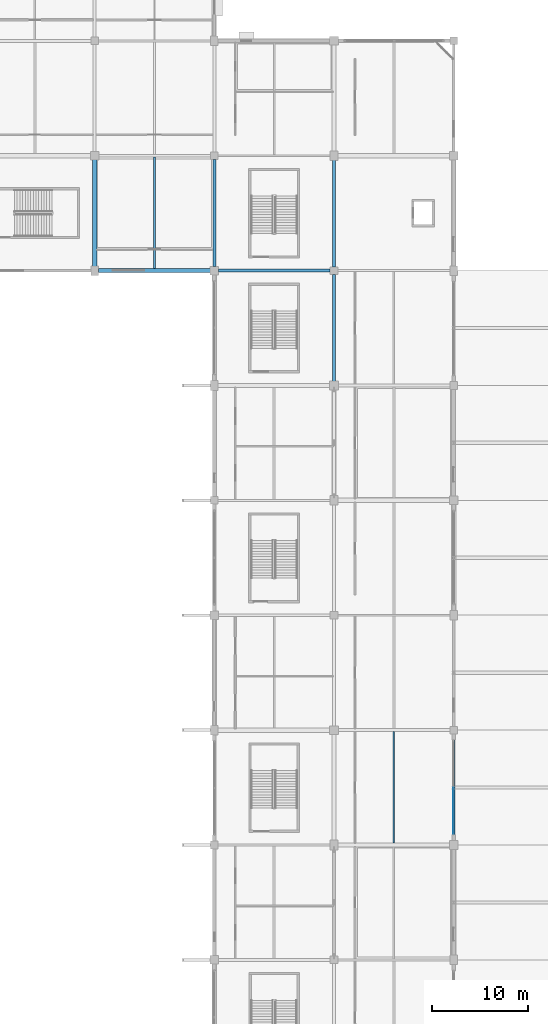
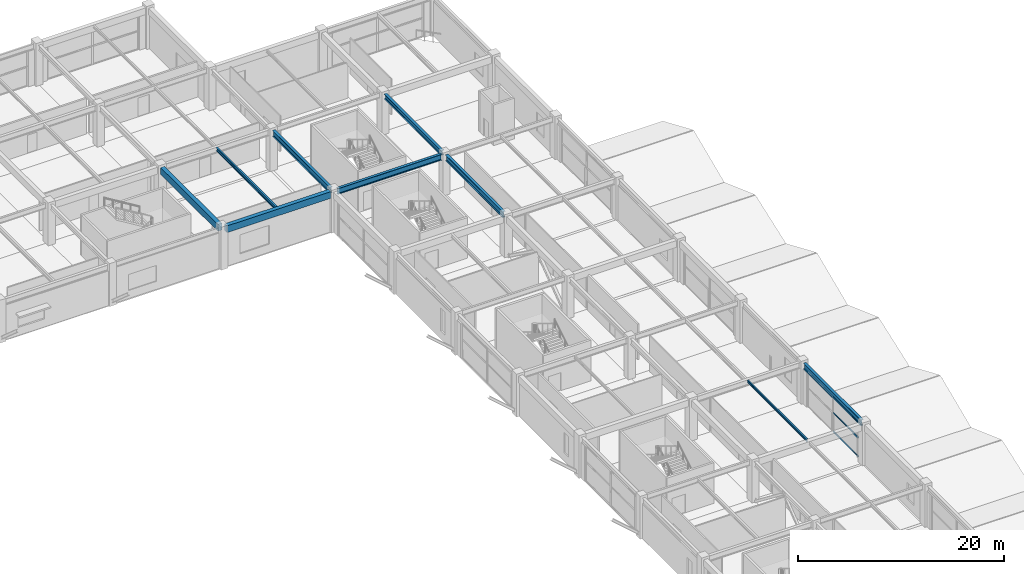
# One storey, part 41 of 116: 9 beams, 3 members, 1 element without a shape of its own.
"""IFC4 building model written with IfcOpenShell, lengths in metres."""

from ifc_helpers import new_model, si_unit, direction, frame, origin, origin_2d, place, context, subcontext, project, spatial, rectangle, i_section, extrude, material, layer, layer_set, material_profile, profile_set, type_object, element, aggregate, save


model = new_model("IFC4")

# Units and contexts
model_context = context("Model", 3, precision=1e-05, world=origin(), true_north=direction((0.0, 1.0)))
body_context = subcontext(model_context, "Body", "Model", "MODEL_VIEW")
ifc_project = project(units=[si_unit("LENGTHUNIT", "METRE"), si_unit("AREAUNIT", "SQUARE_METRE"), si_unit("VOLUMEUNIT", "CUBIC_METRE"), si_unit("PLANEANGLEUNIT", "RADIAN"), si_unit("MASSUNIT", "GRAM", prefix="KILO")], contexts=[model_context])

# Site, building, storey
site_placement = place(None, origin())
site = spatial("IfcSite", under=ifc_project, at=site_placement, CompositionType="ELEMENT")
building_placement = place(site_placement, origin())
building = spatial("IfcBuilding", under=site, at=building_placement, Name="Kazenohara Klinker Stadium", CompositionType="ELEMENT")
storey_placement = place(building_placement, frame((0.0, 0.0, 10.199951171875)))
storey = spatial("IfcBuildingStorey", under=building, at=storey_placement, Name="L02", CompositionType="ELEMENT", Elevation=10.199951171875)

# Beams
ifc_material_1 = material(Name="Steel S355", Category="steel")
ifc_material_profile_1 = material_profile(ifc_material_1, i_section(OverallWidth=0.199951171875, OverallDepth=0.39990234375, WebThickness=0.008056640625, FlangeThickness=0.012939453125, FilletRadius=0.012939453125, at=origin_2d()), Name="H-400x200x8x13")
ifc_profile_set_1 = profile_set([ifc_material_profile_1], Name="Steel S355")
beam_type_1 = type_object("IfcBeamType", Name="BM-JST03", PredefinedType="JOIST", material=ifc_profile_set_1)
beam_1_placement = place(storey_placement, frame((168.75, 132.22509765625, 4.6201171875), z_axis=(0.0, 1.0, 0.0), x_axis=(-1.0, 0.0, 0.0)))
element("IfcBeam", 1, at=beam_1_placement, inside=storey, type_object=beam_type_1, Name="Secondary floor joist SJ03 L02 14/M", PredefinedType="JOIST", context=body_context, shape_type="SweptSolid", body=[
    extrude(i_section(OverallWidth=0.199951171875, OverallDepth=0.39990234375, WebThickness=0.008056640625, FlangeThickness=0.012939453125, FilletRadius=0.012939453125, at=origin_2d()), origin(), (0.0, 0.0, 1.0), 11.625),
])
ifc_material_profile_2 = material_profile(ifc_material_1, i_section(OverallWidth=0.14990234375, OverallDepth=0.300048828125, WebThickness=0.006591796875, FlangeThickness=0.009033203125, FilletRadius=0.012939453125, at=origin_2d()), Name="H-300x150x6.5x9")
ifc_profile_set_2 = profile_set([ifc_material_profile_2], Name="Steel S355")
beam_type_2 = type_object("IfcBeamType", Name="BM-JST05", PredefinedType="JOIST", material=ifc_profile_set_2)
beam_2_placement = place(storey_placement, frame((193.75, 72.22509765625, 4.670166015625), z_axis=(0.0, 1.0, 0.0), x_axis=(-1.0, 0.0, 0.0)))
element("IfcBeam", 2, at=beam_2_placement, inside=storey, type_object=beam_type_2, Name="Secondary floor joist SJ05 L02 16/G", PredefinedType="JOIST", context=body_context, shape_type="SweptSolid", body=[
    extrude(i_section(OverallWidth=0.14990234375, OverallDepth=0.300048828125, WebThickness=0.006591796875, FlangeThickness=0.009033203125, FilletRadius=0.012939453125, at=origin_2d()), origin(), (0.0, 0.0, 1.0), 11.625),
])
ifc_material_2 = material(Name="Concrete C40/50", Category="concrete")
ifc_material_profile_3 = material_profile(ifc_material_2, rectangle(XDim=0.449951171875, YDim=0.800048828125, at=origin_2d()), Name="RC-BM-450x800")
ifc_profile_set_3 = profile_set([ifc_material_profile_3], Name="Concrete C40/50")
beam_type_3 = type_object("IfcBeamType", Name="BM-RC03", PredefinedType="BEAM", material=ifc_profile_set_3)
beam_3_placement = place(storey_placement, frame((162.89990234375, 132.0, 4.420166015625), z_axis=(1.0, 0.0, 0.0), x_axis=(0.0, 1.0, 0.0)))
element("IfcBeam", 3, at=beam_3_placement, inside=storey, type_object=beam_type_3, Name="Primary girder BG03 L02 14-15/M", PredefinedType="BEAM", context=body_context, shape_type="SweptSolid", body=[
    extrude(rectangle(XDim=0.449951171875, YDim=0.800048828125, at=origin_2d()), origin(), (0.0, 0.0, 1.0), 11.68017578125),
])
beam_4_placement = place(storey_placement, frame((162.5, 132.419921875, 4.420166015625), z_axis=(0.0, 1.0, 0.0), x_axis=(-1.0, 0.0, 0.0)))
element("IfcBeam", 4, at=beam_4_placement, inside=storey, type_object=beam_type_3, Name="Primary girder BG03 L02 14/M-N", PredefinedType="BEAM", context=body_context, shape_type="SweptSolid", body=[
    extrude(rectangle(XDim=0.449951171875, YDim=0.800048828125, at=origin_2d()), origin(), (0.0, 0.0, 1.0), 11.16015625),
])
ifc_material_profile_4 = material_profile(ifc_material_1, i_section(OverallWidth=0.300048828125, OverallDepth=0.699951171875, WebThickness=0.012939453125, FlangeThickness=0.02392578125, FilletRadius=0.02197265625, at=origin_2d()), Name="H-700x300x13x24")
ifc_profile_set_4 = profile_set([ifc_material_profile_4], Name="Steel S355")
beam_type_4 = type_object("IfcBeamType", Name="BM-ST03", PredefinedType="BEAM", material=ifc_profile_set_4)
beam_5_placement = place(storey_placement, frame((175.419921875, 132.0, 4.469970703125), z_axis=(1.0, 0.0, 0.0), x_axis=(0.0, 1.0, 0.0)))
element("IfcBeam", 5, at=beam_5_placement, inside=storey, type_object=beam_type_4, Name="Primary girder SB03 L02 15-16/M", PredefinedType="BEAM", context=body_context, shape_type="SweptSolid", body=[
    extrude(i_section(OverallWidth=0.300048828125, OverallDepth=0.699951171875, WebThickness=0.012939453125, FlangeThickness=0.02392578125, FilletRadius=0.02197265625, at=origin_2d()), origin(), (0.0, 0.0, 1.0), 11.68017578125),
])
for number, where, z_axis, x_axis, name in (
    (6, (175.0, 132.419921875, 4.469970703125), (0.0, 1.0, 0.0), (-1.0, 0.0, 0.0), "Primary girder SB03 L02 15/M-N"),
    (7, (187.5, 120.419921875, 4.469970703125), (0.0, 1.0, 0.0), (-1.0, 0.0, 0.0), "Primary girder SB03 L02 16/L-M"),
    (8, (200.0, 72.419921875, 4.469970703125), (0.0, 1.0, 0.0), (-1.0, 0.0, 0.0), "Primary girder SB03 L02 17/G-H"),
):
    element("IfcBeam", number, at=place(storey_placement, frame(where, z_axis=z_axis, x_axis=x_axis)), inside=storey, type_object=beam_type_4, Name=name, PredefinedType="BEAM", context=body_context, shape_type="SweptSolid", body=[
        extrude(i_section(OverallWidth=0.300048828125, OverallDepth=0.699951171875, WebThickness=0.012939453125, FlangeThickness=0.02392578125, FilletRadius=0.02197265625, at=origin_2d()), origin(), (0.0, 0.0, 1.0), 11.18017578125),
    ])
ifc_material_profile_5 = material_profile(ifc_material_1, i_section(OverallWidth=0.300048828125, OverallDepth=0.587890625, WebThickness=0.011962890625, FlangeThickness=0.02001953125, FilletRadius=0.02197265625, at=origin_2d()), Name="H-588x300x12x20")
ifc_profile_set_5 = profile_set([ifc_material_profile_5], Name="Steel S355")
beam_type_5 = type_object("IfcBeamType", Name="BM-ST05", PredefinedType="BEAM", material=ifc_profile_set_5)
beam_6_placement = place(storey_placement, frame((187.5, 132.39990234375, 4.526123046875), z_axis=(0.0, 1.0, 0.0), x_axis=(-1.0, 0.0, 0.0)))
element("IfcBeam", 9, at=beam_6_placement, inside=storey, type_object=beam_type_5, Name="Primary girder SB05 L02 16/M-N", PredefinedType="BEAM", context=body_context, shape_type="SweptSolid", body=[
    extrude(i_section(OverallWidth=0.300048828125, OverallDepth=0.587890625, WebThickness=0.011962890625, FlangeThickness=0.02001953125, FilletRadius=0.02197265625, at=origin_2d()), origin(), (0.0, 0.0, 1.0), 11.18017578125),
])

# Curtain wall, members
ifc_material_3 = material(Name="Anodised aluminium and triple glazing", Category="aluminium")
ifc_layer = layer(ifc_material_3, 0.159912109375)
ifc_layer_set = layer_set([ifc_layer], Name="Anodised aluminium and triple glazing")
curtain_wall_type = type_object("IfcCurtainWallType", Name="CW-SYS-01", PredefinedType="USERDEFINED", material=ifc_layer_set)
curtain_wall_placement = place(storey_placement, origin())
curtain_wall = element("IfcCurtainWall", 10, at=curtain_wall_placement, inside=storey, type_object=curtain_wall_type, Name="Unitised facade curtain wall CW01 L02 Y16-6", ObjectType="UNITISED CURTAIN WALL", PredefinedType="USERDEFINED")
ifc_material_4 = material(Name="Anodised aluminium 6063-T6", Category="aluminium")
ifc_material_profile_6 = material_profile(ifc_material_4, rectangle(XDim=0.06494140625, YDim=0.139892578125, at=origin_2d()), Name="ALU-TRN-65x140")
ifc_profile_set_6 = profile_set([ifc_material_profile_6], Name="Anodised aluminium 6063-T6")
member_type = type_object("IfcMemberType", Name="CW-TRN-140", PredefinedType="USERDEFINED", material=ifc_profile_set_6)
member_1_placement = place(storey_placement, frame((200.0, 73.1689453125, 0.032470703125), z_axis=(0.0, 1.0, 0.0), x_axis=(-1.0, 0.0, 0.0)))
member_1 = element("IfcMember", 11, at=member_1_placement, type_object=member_type, Name="CW01 transom 1.1", ObjectType="TRANSOM", PredefinedType="USERDEFINED", context=body_context, shape_type="SweptSolid", body=[
    extrude(rectangle(XDim=0.06494140625, YDim=0.139892578125, at=origin_2d()), origin(), (0.0, 0.0, 1.0), 4.823486328125),
])
member_2_placement = place(storey_placement, frame((200.0, 73.1689453125, 2.26611328125), z_axis=(0.0, 1.0, 0.0), x_axis=(-1.0, 0.0, 0.0)))
member_2 = element("IfcMember", 12, at=member_2_placement, type_object=member_type, Name="CW01 transom 1.2", ObjectType="TRANSOM", PredefinedType="USERDEFINED", context=body_context, shape_type="SweptSolid", body=[
    extrude(rectangle(XDim=0.06494140625, YDim=0.139892578125, at=origin_2d()), origin(), (0.0, 0.0, 1.0), 4.823486328125),
])
member_3_placement = place(storey_placement, frame((200.0, 73.1689453125, 4.087646484375), z_axis=(0.0, 1.0, 0.0), x_axis=(-1.0, 0.0, 0.0)))
member_3 = element("IfcMember", 13, at=member_3_placement, type_object=member_type, Name="CW01 transom 1.3", ObjectType="TRANSOM", PredefinedType="USERDEFINED", context=body_context, shape_type="SweptSolid", body=[
    extrude(rectangle(XDim=0.06494140625, YDim=0.139892578125, at=origin_2d()), origin(), (0.0, 0.0, 1.0), 4.823486328125),
])
aggregate(curtain_wall, [member_1, member_2, member_3])

save(model, "model.ifc")
